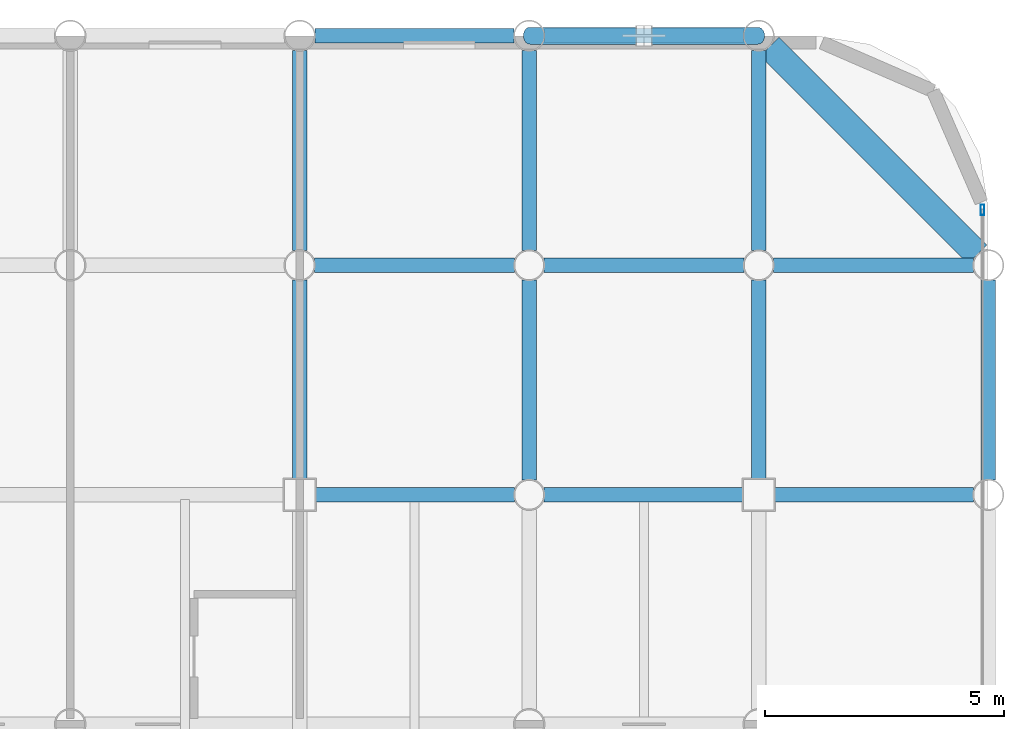
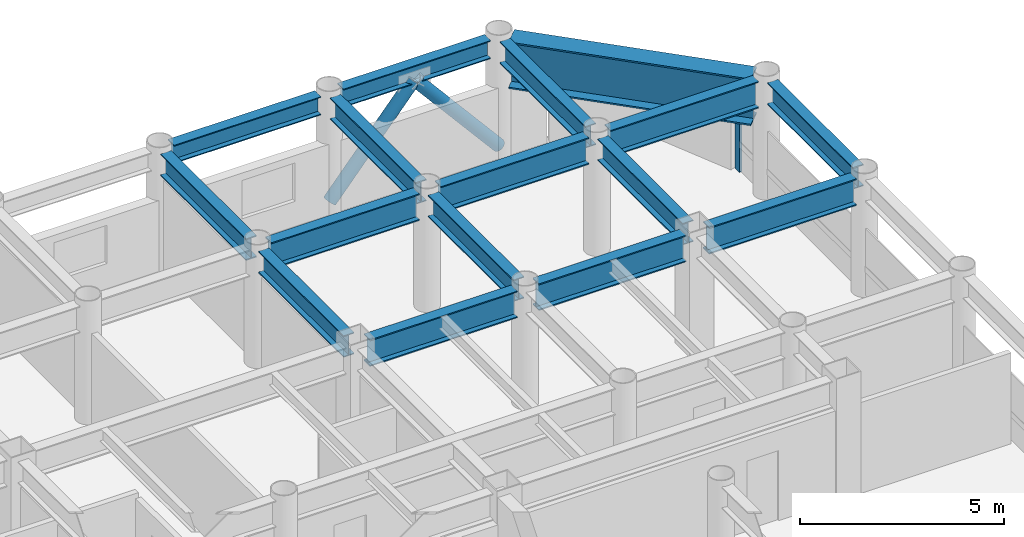
# One storey, part 14 of 20: 16 beams, 3 members, 1 element without a shape of its own.
"""IFC4 building model written with IfcOpenShell, lengths in metres."""

import ifcopenshell
import ifcopenshell.guid

model = None  # the IFC model being written
_history = None  # IfcOwnerHistory: only IFC2X3 demands one
_inside = {}  # id of a spatial element -> (the spatial element, [elements in it])
_under = {}  # id of a project, library or spatial element -> (it, [spatial elements below it])
_declared = {}  # id of a project -> (the project, [libraries it declares])
_typed = {}  # id of a type object -> (the type object, [elements of that type])
_made_of = {}  # id of a material, layer set ... -> (it, [elements and type objects made of it])


def new_model(schema):
    """Start an empty IFC model of exactly this schema.

    Asked for "IFC4X3", IfcOpenShell would pick the latest addendum, in which some entities
    have other attributes; the version numbers below select the first issue.
    IFC2X3 requires an IfcOwnerHistory on every rooted entity: one is made here for all.
    """
    global model, _history
    if schema == "IFC4X3":
        model = ifcopenshell.file(schema_version=(4, 3, 0, 0))
    else:
        model = ifcopenshell.file(schema=schema)
    _inside.clear()
    _under.clear()
    _declared.clear()
    _typed.clear()
    _made_of.clear()
    _history = None
    if model.schema == "IFC2X3":
        org = make("IfcOrganization", Name="unknown")
        user = make(
            "IfcPersonAndOrganization",
            ThePerson=make("IfcPerson", FamilyName="unknown"),
            TheOrganization=org,
        )
        app = make(
            "IfcApplication",
            ApplicationDeveloper=org,
            Version="unknown",
            ApplicationFullName="unknown",
            ApplicationIdentifier="unknown",
        )
        _history = make(
            "IfcOwnerHistory",
            OwningUser=user,
            OwningApplication=app,
            ChangeAction="ADDED",
            CreationDate=0,
        )
    return model


def make(cls, **values):
    """One entity of the class cls with the attributes given. An attribute that is None is left unset."""
    return model.create_entity(
        cls, **{name: value for name, value in values.items() if value is not None}
    )


def rooted(cls, **values):
    """An entity with a GlobalId (a new one), such as an element, a storey or a relation."""
    return make(cls, GlobalId=ifcopenshell.guid.new(), OwnerHistory=_history, **values)


def si_unit(unit_type, name, prefix=None):
    """IfcSIUnit, for example si_unit("LENGTHUNIT", "METRE", prefix="MILLI")."""
    return make("IfcSIUnit", UnitType=unit_type, Prefix=prefix, Name=name)


def assignment(units):
    """IfcUnitAssignment: the units of a project."""
    return None if units is None else make("IfcUnitAssignment", Units=units)


def point(xyz):
    """IfcCartesianPoint."""
    return None if xyz is None else make("IfcCartesianPoint", Coordinates=xyz)


def direction(xyz):
    """IfcDirection."""
    return None if xyz is None else make("IfcDirection", DirectionRatios=xyz)


def frame(location, z_axis=None, x_axis=None):
    """IfcAxis2Placement3D, a coordinate frame: its origin and axes. An axis left out is left unset."""
    return make(
        "IfcAxis2Placement3D",
        Location=point(location),
        Axis=direction(z_axis),
        RefDirection=direction(x_axis),
    )


def frame_2d(location, x_axis=None):
    """IfcAxis2Placement2D, a coordinate frame in the plane: its origin and x axis."""
    return make(
        "IfcAxis2Placement2D", Location=point(location), RefDirection=direction(x_axis)
    )


def origin():
    """The frame at (0, 0, 0) with its axes left unset."""
    return frame((0.0, 0.0, 0.0))


def origin_2d():
    """The frame at (0, 0) in the plane with its x axis left unset."""
    return frame_2d((0.0, 0.0))


def place(relative_to, where):
    """IfcLocalPlacement: puts the frame where relative to a parent placement (None: the world)."""
    return make(
        "IfcLocalPlacement", PlacementRelTo=relative_to, RelativePlacement=where
    )


def context(
    kind, dimensions, precision=None, world=None, true_north=None, identifier=None
):
    """IfcGeometricRepresentationContext, for example the 3D "Model" context."""
    return make(
        "IfcGeometricRepresentationContext",
        ContextIdentifier=identifier,
        ContextType=kind,
        CoordinateSpaceDimension=dimensions,
        Precision=precision,
        WorldCoordinateSystem=world,
        TrueNorth=true_north,
    )


def subcontext(parent, identifier, kind, view, scale=None):
    """IfcGeometricRepresentationSubContext, for example "Body" below "Model"."""
    return make(
        "IfcGeometricRepresentationSubContext",
        ContextIdentifier=identifier,
        ContextType=kind,
        ParentContext=parent,
        TargetScale=scale,
        TargetView=view,
    )


def project(units=None, contexts=None):
    """IfcProject with its units and contexts."""
    return rooted(
        "IfcProject",
        Name="project",
        RepresentationContexts=contexts,
        UnitsInContext=assignment(units),
    )


def spatial(cls, under=None, at=None, **own):
    """A site, building, storey or space (cls), placed at a placement, below another one or the project."""
    s = rooted(cls, ObjectPlacement=at, **own)
    if under is not None:
        _under.setdefault(under.id(), (under, []))[1].append(s)
    return s


def profile(cls, at=None, kind="AREA", **sizes):
    """A parametric profile (cls). Its sizes go by their IFC names, for example OverallWidth=200.0."""
    return make(cls, ProfileType=kind, Position=at, **sizes)


def hollow_rectangle(**sizes):
    """IfcRectangleHollowProfileDef."""
    return profile("IfcRectangleHollowProfileDef", **sizes)


def hollow_circle(**sizes):
    """IfcCircleHollowProfileDef."""
    return profile("IfcCircleHollowProfileDef", **sizes)


def i_section(**sizes):
    """IfcIShapeProfileDef."""
    return profile("IfcIShapeProfileDef", **sizes)


def extrude(swept, where, along, depth):
    """IfcExtrudedAreaSolid: the profile swept, set in the frame where, extruded along a direction by depth."""
    return make(
        "IfcExtrudedAreaSolid",
        SweptArea=swept,
        Position=where,
        ExtrudedDirection=direction(along),
        Depth=depth,
    )


def shape(context_of_items, identifier, shape_type, items):
    """IfcShapeRepresentation: the items that make up one representation, for example the "Body"."""
    return make(
        "IfcShapeRepresentation",
        ContextOfItems=context_of_items,
        RepresentationIdentifier=identifier,
        RepresentationType=shape_type,
        Items=items,
    )


def material(Name=None, Category=None):
    """IfcMaterial."""
    return make("IfcMaterial", Name=Name, Category=Category)


def layer(
    of_material, thickness, ventilated=None, Name=None, Category=None, Priority=None
):
    """IfcMaterialLayer: one layer of a wall or slab, of a material (None: an air gap)."""
    return make(
        "IfcMaterialLayer",
        Material=of_material,
        LayerThickness=thickness,
        IsVentilated=ventilated,
        Name=Name,
        Category=Category,
        Priority=Priority,
    )


def layer_set(layers, Name=None):
    """IfcMaterialLayerSet."""
    return make("IfcMaterialLayerSet", MaterialLayers=layers, LayerSetName=Name)


def material_profile(
    of_material, cross_section, Name=None, Category=None, Priority=None
):
    """IfcMaterialProfile: a cross section and its material."""
    return make(
        "IfcMaterialProfile",
        Name=Name,
        Material=of_material,
        Profile=cross_section,
        Priority=Priority,
        Category=Category,
    )


def profile_set(profiles, Name=None, composite=None):
    """IfcMaterialProfileSet."""
    return make(
        "IfcMaterialProfileSet",
        Name=Name,
        MaterialProfiles=profiles,
        CompositeProfile=composite,
    )


def made_of(thing, what):
    """Note that an element or type object is made of a material, layer set ...; save() writes the relation."""
    if what is not None:
        _made_of.setdefault(what.id(), (what, []))[1].append(thing)
    return thing


def type_object(cls, material=None, **own):
    """A type object (cls), such as IfcWallType, which elements share."""
    return made_of(rooted(cls, **own), material)


def element(
    cls,
    number,
    at=None,
    inside=None,
    cuts=None,
    type_object=None,
    material=None,
    context=None,
    identifier="Body",
    shape_type=None,
    held_by="IfcProductDefinitionShape",
    body=None,
    shapes=None,
    **own,
):
    """One element of the class cls, such as IfcWall. Its Tag is "e" and its number.

    at: its placement. inside: the storey or other place that contains it. cuts: it is an
    opening in that element (IfcRelVoidsElement). A single representation is given by context,
    identifier, shape_type and body (its items); several are given by shapes. held_by: the class
    of the entity that holds the representations. save() writes the other relations.
    """
    e = rooted(cls, Tag="e%d" % number, ObjectPlacement=at, **own)
    if body is not None:
        shapes = [shape(context, identifier, shape_type, body)]
    if shapes is not None:
        e.Representation = make(held_by, Representations=shapes)
    if inside is not None:
        _inside.setdefault(inside.id(), (inside, []))[1].append(e)
    if cuts is not None:
        rooted(
            "IfcRelVoidsElement", RelatingBuildingElement=cuts, RelatedOpeningElement=e
        )
    if type_object is not None:
        _typed.setdefault(type_object.id(), (type_object, []))[1].append(e)
    return made_of(e, material)


def aggregate(whole, parts):
    """IfcRelAggregates: a whole, such as a stair, and the parts it consists of."""
    return rooted("IfcRelAggregates", RelatingObject=whole, RelatedObjects=parts)


def save(model, path):
    """Write the relations noted so far, then the file.

    IfcRelAggregates (storeys below a building ...), IfcRelContainedInSpatialStructure (elements
    in a storey), IfcRelDefinesByType, IfcRelAssociatesMaterial and IfcRelDeclares: one each for
    every whole, place, type object, material and project.
    """
    for whole, parts in _under.values():
        aggregate(whole, parts)
    for where, things in _inside.values():
        rooted(
            "IfcRelContainedInSpatialStructure",
            RelatedElements=things,
            RelatingStructure=where,
        )
    for kind, things in _typed.values():
        rooted("IfcRelDefinesByType", RelatedObjects=things, RelatingType=kind)
    for what, things in _made_of.values():
        rooted("IfcRelAssociatesMaterial", RelatedObjects=things, RelatingMaterial=what)
    for by, libraries in _declared.values():
        rooted("IfcRelDeclares", RelatingContext=by, RelatedDefinitions=libraries)
    model.write(path)


model = new_model("IFC4")

# Units and contexts
model_context = context("Model", 3, precision=1e-05, world=origin(), true_north=direction((0.0, 1.0)))
body_context = subcontext(model_context, "Body", "Model", "MODEL_VIEW")
ifc_project = project(units=[si_unit("LENGTHUNIT", "METRE"), si_unit("AREAUNIT", "SQUARE_METRE"), si_unit("VOLUMEUNIT", "CUBIC_METRE"), si_unit("PLANEANGLEUNIT", "RADIAN"), si_unit("MASSUNIT", "GRAM", prefix="KILO")], contexts=[model_context])

# Site, building, storey
site_placement = place(None, origin())
site = spatial("IfcSite", under=ifc_project, at=site_placement, CompositionType="ELEMENT")
building_placement = place(site_placement, origin())
building = spatial("IfcBuilding", under=site, at=building_placement, Name="Kallvorn Hotel Tower", CompositionType="ELEMENT")
storey_placement = place(building_placement, frame((0.0, 0.0, 132.199951171875)))
storey = spatial("IfcBuildingStorey", under=building, at=storey_placement, Name="L32", CompositionType="ELEMENT", Elevation=132.199951171875)

# Beams
ifc_material_1 = material(Name="Structural steel S355JR", Category="steel")
ifc_material_profile_1 = material_profile(ifc_material_1, i_section(OverallWidth=0.300048828125, OverallDepth=0.550048828125, WebThickness=0.014892578125, FlangeThickness=0.029052734375, at=origin_2d()), Name="HE 550 B")
ifc_profile_set_1 = profile_set([ifc_material_profile_1], Name="Structural steel S355JR")
beam_type_1 = type_object("IfcBeamType", Name="BM_HE550B", PredefinedType="SPANDREL", material=ifc_profile_set_1)
for number, where, z_axis, x_axis, name in (
    (1, (14.719970703125, 24.0, 3.2451171875), (1.0, 0.0, 0.0), (0.0, 1.0, 0.0), "L33 Perimeter Spandrel 172"),
    (2, (19.52001953125, 24.0, 3.2451171875), (1.0, 0.0, 0.0), (0.0, 1.0, 0.0), "L33 Perimeter Spandrel 173"),
):
    element("IfcBeam", number, at=place(storey_placement, frame(where, z_axis=z_axis, x_axis=x_axis)), inside=storey, type_object=beam_type_1, Name=name, PredefinedType="SPANDREL", context=body_context, shape_type="SweptSolid", body=[
        extrude(i_section(OverallWidth=0.300048828125, OverallDepth=0.550048828125, WebThickness=0.014892578125, FlangeThickness=0.029052734375, at=origin_2d()), origin(), (0.0, 0.0, 1.0), 4.159912109375),
    ])
ifc_material_2 = material(Name="Structural steel S355JR", Category="steel")
ifc_material_profile_2 = material_profile(ifc_material_2, i_section(OverallWidth=0.300048828125, OverallDepth=0.64990234375, WebThickness=0.01611328125, FlangeThickness=0.031005859375, at=origin_2d()), Name="HE 650 B")
ifc_profile_set_2 = profile_set([ifc_material_profile_2], Name="Structural steel S355JR")
beam_type_2 = type_object("IfcBeamType", Name="BM_HE650B", PredefinedType="BEAM", material=ifc_profile_set_2)
beam_1_placement = place(storey_placement, frame((14.39990234375, 14.72509765625, 3.195068359375), z_axis=(0.0, 1.0, 0.0), x_axis=(-1.0, 0.0, 0.0)))
element("IfcBeam", 3, at=beam_1_placement, inside=storey, type_object=beam_type_2, Name="L33 Primary Y-Girder 125", PredefinedType="BEAM", context=body_context, shape_type="SweptSolid", body=[
    extrude(i_section(OverallWidth=0.300048828125, OverallDepth=0.64990234375, WebThickness=0.01611328125, FlangeThickness=0.031005859375, at=origin_2d()), origin(), (0.0, 0.0, 1.0), 4.169921875),
])
beam_2_placement = place(storey_placement, frame((14.39990234375, 19.5048828125, 3.195068359375), z_axis=(0.0, 1.0, 0.0), x_axis=(-1.0, 0.0, 0.0)))
element("IfcBeam", 4, at=beam_2_placement, inside=storey, type_object=beam_type_2, Name="L33 Primary Y-Girder 126", PredefinedType="BEAM", context=body_context, shape_type="SweptSolid", body=[
    extrude(i_section(OverallWidth=0.300048828125, OverallDepth=0.64990234375, WebThickness=0.01611328125, FlangeThickness=0.031005859375, at=origin_2d()), origin(), (0.0, 0.0, 1.0), 4.190185546875),
])
beam_3_placement = place(storey_placement, frame((19.199951171875, 14.705078125, 3.195068359375), z_axis=(0.0, 1.0, 0.0), x_axis=(-1.0, 0.0, 0.0)))
element("IfcBeam", 5, at=beam_3_placement, inside=storey, type_object=beam_type_2, Name="L33 Primary Y-Girder 134", PredefinedType="BEAM", context=body_context, shape_type="SweptSolid", body=[
    extrude(i_section(OverallWidth=0.300048828125, OverallDepth=0.64990234375, WebThickness=0.01611328125, FlangeThickness=0.031005859375, at=origin_2d()), origin(), (0.0, 0.0, 1.0), 4.18994140625),
])
beam_4_placement = place(storey_placement, frame((19.199951171875, 19.5048828125, 3.195068359375), z_axis=(0.0, 1.0, 0.0), x_axis=(-1.0, 0.0, 0.0)))
element("IfcBeam", 6, at=beam_4_placement, inside=storey, type_object=beam_type_2, Name="L33 Primary Y-Girder 135", PredefinedType="BEAM", context=body_context, shape_type="SweptSolid", body=[
    extrude(i_section(OverallWidth=0.300048828125, OverallDepth=0.64990234375, WebThickness=0.01611328125, FlangeThickness=0.031005859375, at=origin_2d()), origin(), (0.0, 0.0, 1.0), 4.190185546875),
])
beam_5_placement = place(storey_placement, frame((24.0, 14.72509765625, 3.195068359375), z_axis=(0.0, 1.0, 0.0), x_axis=(-1.0, 0.0, 0.0)))
element("IfcBeam", 7, at=beam_5_placement, inside=storey, type_object=beam_type_2, Name="L33 Primary Y-Girder 141", PredefinedType="BEAM", context=body_context, shape_type="SweptSolid", body=[
    extrude(i_section(OverallWidth=0.300048828125, OverallDepth=0.64990234375, WebThickness=0.01611328125, FlangeThickness=0.031005859375, at=origin_2d()), origin(), (0.0, 0.0, 1.0), 4.169921875),
])
beam_6_placement = place(storey_placement, frame((24.0, 19.5048828125, 3.195068359375), z_axis=(0.0, 1.0, 0.0), x_axis=(-1.0, 0.0, 0.0)))
element("IfcBeam", 8, at=beam_6_placement, inside=storey, type_object=beam_type_2, Name="L33 Primary Y-Girder 142", PredefinedType="BEAM", context=body_context, shape_type="SweptSolid", body=[
    extrude(i_section(OverallWidth=0.300048828125, OverallDepth=0.64990234375, WebThickness=0.01611328125, FlangeThickness=0.031005859375, at=origin_2d()), origin(), (0.0, 0.0, 1.0), 4.190185546875),
])
beam_7_placement = place(storey_placement, frame((28.800048828125, 14.705078125, 3.195068359375), z_axis=(0.0, 1.0, 0.0), x_axis=(-1.0, 0.0, 0.0)))
element("IfcBeam", 9, at=beam_7_placement, inside=storey, type_object=beam_type_2, Name="L33 Primary Y-Girder 150", PredefinedType="BEAM", context=body_context, shape_type="SweptSolid", body=[
    extrude(i_section(OverallWidth=0.300048828125, OverallDepth=0.64990234375, WebThickness=0.01611328125, FlangeThickness=0.031005859375, at=origin_2d()), origin(), (0.0, 0.0, 1.0), 4.18994140625),
])
ifc_material_3 = material(Name="Structural steel S355JR", Category="steel")
ifc_material_profile_3 = material_profile(ifc_material_3, i_section(OverallWidth=0.300048828125, OverallDepth=0.800048828125, WebThickness=0.017578125, FlangeThickness=0.032958984375, at=origin_2d()), Name="HE 800 B")
ifc_profile_set_3 = profile_set([ifc_material_profile_3], Name="Structural steel S355JR")
beam_type_3 = type_object("IfcBeamType", Name="BM_HE800B", PredefinedType="BEAM", material=ifc_profile_set_3)
beam_8_placement = place(storey_placement, frame((14.72509765625, 14.39990234375, 3.1201171875), z_axis=(1.0, 0.0, 0.0), x_axis=(0.0, 1.0, 0.0)))
element("IfcBeam", 10, at=beam_8_placement, inside=storey, type_object=beam_type_3, Name="L33 Primary X-Girder 57", PredefinedType="BEAM", context=body_context, shape_type="SweptSolid", body=[
    extrude(i_section(OverallWidth=0.300048828125, OverallDepth=0.800048828125, WebThickness=0.017578125, FlangeThickness=0.032958984375, at=origin_2d()), origin(), (0.0, 0.0, 1.0), 4.169921875),
])
for number, where, z_axis, x_axis, name in (
    (11, (19.5048828125, 14.39990234375, 3.1201171875), (1.0, 0.0, 0.0), (0.0, 1.0, 0.0), "L33 Primary X-Girder 58"),
    (12, (24.324951171875, 14.39990234375, 3.1201171875), (1.0, 0.0, 0.0), (0.0, 1.0, 0.0), "L33 Primary X-Girder 59"),
):
    element("IfcBeam", number, at=place(storey_placement, frame(where, z_axis=z_axis, x_axis=x_axis)), inside=storey, type_object=beam_type_3, Name=name, PredefinedType="BEAM", context=body_context, shape_type="SweptSolid", body=[
        extrude(i_section(OverallWidth=0.300048828125, OverallDepth=0.800048828125, WebThickness=0.017578125, FlangeThickness=0.032958984375, at=origin_2d()), origin(), (0.0, 0.0, 1.0), 4.170166015625),
    ])
beam_9_placement = place(storey_placement, frame((14.705078125, 19.199951171875, 3.1201171875), z_axis=(1.0, 0.0, 0.0), x_axis=(0.0, 1.0, 0.0)))
element("IfcBeam", 13, at=beam_9_placement, inside=storey, type_object=beam_type_3, Name="L33 Primary X-Girder 70", PredefinedType="BEAM", context=body_context, shape_type="SweptSolid", body=[
    extrude(i_section(OverallWidth=0.300048828125, OverallDepth=0.800048828125, WebThickness=0.017578125, FlangeThickness=0.032958984375, at=origin_2d()), origin(), (0.0, 0.0, 1.0), 4.18994140625),
])
for number, where, z_axis, x_axis, name in (
    (14, (19.5048828125, 19.199951171875, 3.1201171875), (1.0, 0.0, 0.0), (0.0, 1.0, 0.0), "L33 Primary X-Girder 71"),
    (15, (24.304931640625, 19.199951171875, 3.1201171875), (1.0, 0.0, 0.0), (0.0, 1.0, 0.0), "L33 Primary X-Girder 72"),
):
    element("IfcBeam", number, at=place(storey_placement, frame(where, z_axis=z_axis, x_axis=x_axis)), inside=storey, type_object=beam_type_3, Name=name, PredefinedType="BEAM", context=body_context, shape_type="SweptSolid", body=[
        extrude(i_section(OverallWidth=0.300048828125, OverallDepth=0.800048828125, WebThickness=0.017578125, FlangeThickness=0.032958984375, at=origin_2d()), origin(), (0.0, 0.0, 1.0), 4.190185546875),
    ])
ifc_material_4 = material(Name="Structural steel S355JR", Category="steel")
ifc_material_profile_4 = material_profile(ifc_material_4, i_section(OverallWidth=0.550048828125, OverallDepth=1.39990234375, WebThickness=0.02490234375, FlangeThickness=0.044921875, at=origin_2d()), Name="PG 1400x550x25x45")
ifc_profile_set_4 = profile_set([ifc_material_profile_4], Name="Structural steel S355JR")
beam_type_4 = type_object("IfcBeamType", Name="BM_PG_1400", PredefinedType="BEAM", material=ifc_profile_set_4)
beam_10_placement = place(storey_placement, frame((28.57373046875, 19.42626953125, 2.820068359375), z_axis=(-0.707106781187, 0.707106781187, 0.0), x_axis=(-0.707106781187, -0.707106781187, 0.0)))
element("IfcBeam", 16, at=beam_10_placement, inside=storey, type_object=beam_type_4, Name="L33 Rounded Corner Tie Beam 191", PredefinedType="BEAM", context=body_context, shape_type="SweptSolid", body=[
    extrude(i_section(OverallWidth=0.550048828125, OverallDepth=1.39990234375, WebThickness=0.02490234375, FlangeThickness=0.044921875, at=origin_2d()), origin(), (0.0, 0.0, 1.0), 6.148193359375),
])

# Curtain wall, member
ifc_material_5 = material(Name="Thermally broken black-anodised aluminium AA 6063-T6", Category="aluminium")
ifc_layer = layer(ifc_material_5, 0.2099609375)
ifc_layer_set = layer_set([ifc_layer], Name="CW_SYS_4_HOTEL_MID")
curtain_wall_type = type_object("IfcCurtainWallType", Name="CW_SYS_4_HOTEL_MID", PredefinedType="USERDEFINED", material=ifc_layer_set)
curtain_wall_placement = place(storey_placement, origin())
curtain_wall = element("IfcCurtainWall", 17, at=curtain_wall_placement, inside=storey, type_object=curtain_wall_type, Name="L32 Dark-Glass Curtain Wall CW-L32-EN", ObjectType="UNITISED CURTAIN WALL", PredefinedType="USERDEFINED")
ifc_material_6 = material(Name="Thermally broken black-anodised aluminium AA 6063-T6", Category="aluminium")
ifc_material_profile_5 = material_profile(ifc_material_6, hollow_rectangle(XDim=0.080078125, YDim=0.219970703125, WallThickness=0.0048828125, at=origin_2d()), Name="MUL 220x80")
ifc_profile_set_5 = profile_set([ifc_material_profile_5], Name="Thermally broken black-anodised aluminium AA 6063-T6")
member_type_1 = type_object("IfcMemberType", Name="CW_MULLION_220x80", PredefinedType="MULLION", material=ifc_profile_set_5)
member_placement = place(storey_placement, frame((28.679931640625, 20.360107421875, 0.02001953125), z_axis=(0.0, 0.0, 1.0), x_axis=(1.0, 0.0, 0.0)))
member = element("IfcMember", 18, at=member_placement, type_object=member_type_1, Name="CW-L32-EN Mullion 01", PredefinedType="MULLION", context=body_context, shape_type="SweptSolid", body=[
    extrude(hollow_rectangle(XDim=0.080078125, YDim=0.219970703125, WallThickness=0.0048828125, at=origin_2d()), origin(), (0.0, 0.0, 1.0), 2.080078125),
])
aggregate(curtain_wall, [member])

# Members
ifc_material_7 = material(Name="Structural steel S355J2H", Category="steel")
ifc_material_profile_6 = material_profile(ifc_material_7, hollow_circle(Radius=0.177734375, WallThickness=0.01416015625, at=origin_2d()), Name="CHS 355.6x14.2")
ifc_profile_set_6 = profile_set([ifc_material_profile_6], Name="Structural steel S355J2H")
member_type_2 = type_object("IfcMemberType", Name="MBR_EXO_CHS355", PredefinedType="BRACE", material=ifc_profile_set_6)
for number, where, z_axis, x_axis, name in (
    (19, (19.212890625, 24.0, 0.1953125), (0.646833296797, 0.0, 0.762631422218), (0.0, 1.0, 0.0), "L32 Exoskeleton K-Brace N2A"),
    (20, (23.987060546875, 24.0, 0.1953125), (-0.646833296797, 0.0, 0.762631422218), (0.0, -1.0, 0.0), "L32 Exoskeleton K-Brace N2B"),
):
    element("IfcMember", number, at=place(storey_placement, frame(where, z_axis=z_axis, x_axis=x_axis)), inside=storey, type_object=member_type_2, Name=name, PredefinedType="BRACE", context=body_context, shape_type="SweptSolid", body=[
        extrude(hollow_circle(Radius=0.177734375, WallThickness=0.01416015625, at=origin_2d()), origin(), (0.0, 0.0, 1.0), 3.670654296875),
    ])

save(model, "model.ifc")
